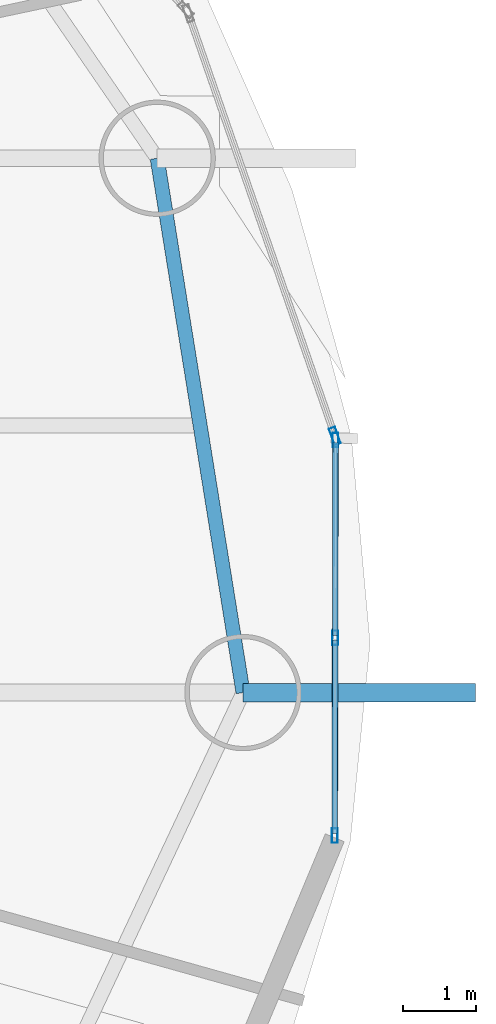
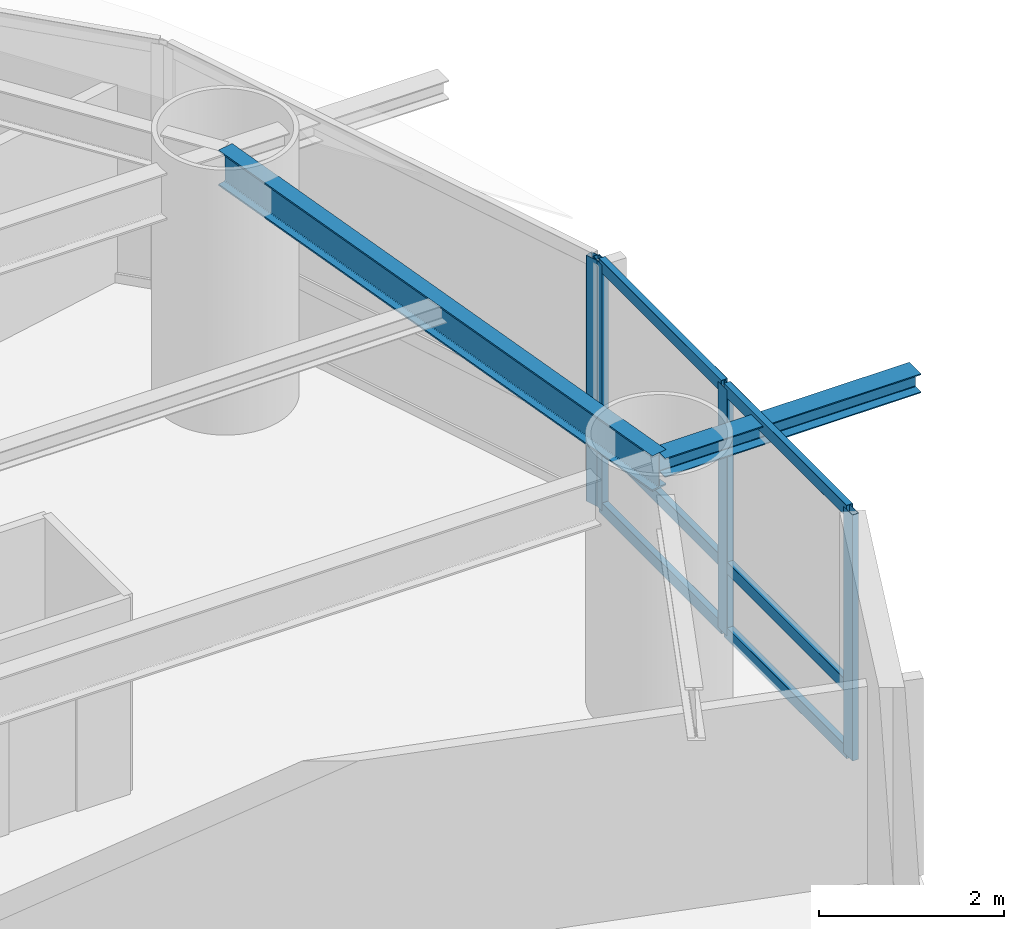
# One storey, part 10 of 27: 10 members, 2 beams, 2 elements without a shape of their own.
"""IFC4 building model written with IfcOpenShell, lengths in metres."""

from ifc_helpers import new_model, si_unit, direction, frame, origin, origin_2d, place, context, subcontext, project, spatial, hollow_rectangle, i_section, extrude, material, layer, layer_set, material_profile, profile_set, type_object, element, aggregate, save


model = new_model("IFC4")

# Units and contexts
model_context = context("Model", 3, precision=1e-05, world=origin(), true_north=direction((0.0, 1.0)))
body_context = subcontext(model_context, "Body", "Model", "MODEL_VIEW")
ifc_project = project(units=[si_unit("LENGTHUNIT", "METRE"), si_unit("AREAUNIT", "SQUARE_METRE"), si_unit("VOLUMEUNIT", "CUBIC_METRE"), si_unit("PLANEANGLEUNIT", "RADIAN"), si_unit("MASSUNIT", "GRAM", prefix="KILO")], contexts=[model_context])

# Site, building, storey
site_placement = place(None, origin())
site = spatial("IfcSite", under=ifc_project, at=site_placement, CompositionType="ELEMENT")
building_placement = place(site_placement, origin())
building = spatial("IfcBuilding", under=site, at=building_placement, Name="Bramvorn Convention Spire", CompositionType="ELEMENT")
storey_placement = place(building_placement, frame((0.0, 0.0, 79.89990234375)))
storey = spatial("IfcBuildingStorey", under=building, at=storey_placement, Name="L18", CompositionType="ELEMENT", Elevation=79.89990234375)

# Beams
ifc_material_1 = material(Name="Steel CSA G40.21 Grade 350 (350W)", Category="steel")
ifc_material_profile_1 = material_profile(ifc_material_1, i_section(OverallWidth=0.25390625, OverallDepth=0.2529296875, WebThickness=0.008544921875, FlangeThickness=0.01416015625, FilletRadius=0.011962890625, at=origin_2d()))
ifc_profile_set_1 = profile_set([ifc_material_profile_1], Name="Steel CSA G40.21 Grade 350 (350W) - W250X73")
beam_type_1 = type_object("IfcBeamType", Name="BM-W250X73", PredefinedType="BEAM", material=ifc_profile_set_1)
beam_1_placement = place(storey_placement, frame((66.519775390625, 21.99169921875, 3.12353515625), z_axis=(1.0, 0.0, 0.0), x_axis=(0.0, 1.0, 0.0)))
element("IfcBeam", 1, at=beam_1_placement, inside=storey, type_object=beam_type_1, Name="L18 slab-edge cantilever tip beam MC01", PredefinedType="BEAM", context=body_context, shape_type="SweptSolid", body=[
    extrude(i_section(OverallWidth=0.25390625, OverallDepth=0.2529296875, WebThickness=0.008544921875, FlangeThickness=0.01416015625, FilletRadius=0.011962890625, at=origin_2d()), origin(), (0.0, 0.0, 1.0), 3.199951171875),
])
ifc_material_profile_2 = material_profile(ifc_material_1, i_section(OverallWidth=0.194091796875, OverallDepth=0.468994140625, WebThickness=0.0126953125, FlangeThickness=0.0205078125, FilletRadius=0.01806640625, at=origin_2d()))
ifc_profile_set_2 = profile_set([ifc_material_profile_2], Name="Steel CSA G40.21 Grade 350 (350W) - W460X106")
beam_type_2 = type_object("IfcBeamType", Name="BM-W460X106", PredefinedType="SPANDREL", material=ifc_profile_set_2)
beam_2_placement = place(storey_placement, frame((66.519775390625, 21.99169921875, 3.015625), z_axis=(-0.158699222824, 0.987326975563, 0.0), x_axis=(-0.987326975563, -0.158699222824, 0.0)))
element("IfcBeam", 2, at=beam_2_placement, inside=storey, type_object=beam_type_2, Name="L18 mega-column ring beam 01", PredefinedType="SPANDREL", context=body_context, shape_type="SweptSolid", body=[
    extrude(i_section(OverallWidth=0.194091796875, OverallDepth=0.468994140625, WebThickness=0.0126953125, FlangeThickness=0.0205078125, FilletRadius=0.01806640625, at=origin_2d()), origin(), (0.0, 0.0, 1.0), 7.442626953125),
])

# Curtain wall, members
ifc_material_2 = material(Name="Anodised Bronze Unitised Curtain Wall", Category="aluminium")
ifc_layer_1 = layer(ifc_material_2, 0.179931640625)
ifc_layer_set_1 = layer_set([ifc_layer_1], Name="Anodised Bronze Unitised Curtain Wall - CW-HTL-FRIT")
curtain_wall_type_1 = type_object("IfcCurtainWallType", Name="CW-HTL-FRIT", PredefinedType="USERDEFINED", material=ifc_layer_set_1)
curtain_wall_1_placement = place(storey_placement, origin())
curtain_wall_1 = element("IfcCurtainWall", 3, at=curtain_wall_1_placement, inside=storey, type_object=curtain_wall_type_1, Name="L18 fritted glass curtain wall 01", ObjectType="UNITISED CURTAIN WALL", PredefinedType="USERDEFINED")
ifc_material_3 = material(Name="Anodised Bronze Aluminium 6063-T6", Category="aluminium")
ifc_material_profile_3 = material_profile(ifc_material_3, hollow_rectangle(XDim=0.080078125, YDim=0.199951171875, WallThickness=0.00390625, InnerFilletRadius=0.0009765625, OuterFilletRadius=0.00390625, at=origin_2d()))
ifc_profile_set_3 = profile_set([ifc_material_profile_3], Name="Anodised Bronze Aluminium 6063-T6 - CWM80X200")
member_type_1 = type_object("IfcMemberType", Name="CW-MUL-180", PredefinedType="MULLION", material=ifc_profile_set_3)
member_1_placement = place(storey_placement, frame((67.791259765625, 25.462646484375, 0.0), z_axis=(0.0, 0.0, 1.0), x_axis=(0.999998070248, -0.001964561274, 0.0)))
member_1 = element("IfcMember", 4, at=member_1_placement, type_object=member_type_1, Name="CW2 mullion 1", PredefinedType="MULLION", context=body_context, shape_type="SweptSolid", body=[
    extrude(hollow_rectangle(XDim=0.080078125, YDim=0.199951171875, WallThickness=0.00390625, InnerFilletRadius=0.0009765625, OuterFilletRadius=0.00390625, at=origin_2d()), origin(), (0.0, 0.0, 1.0), 3.25),
])
member_2_placement = place(storey_placement, frame((67.785888671875, 22.743896484375, 0.0), z_axis=(0.0, 0.0, 1.0), x_axis=(0.999998070248, -0.001964561274, 0.0)))
member_2 = element("IfcMember", 5, at=member_2_placement, type_object=member_type_1, Name="CW2 mullion 2", PredefinedType="MULLION", context=body_context, shape_type="SweptSolid", body=[
    extrude(hollow_rectangle(XDim=0.080078125, YDim=0.199951171875, WallThickness=0.00390625, InnerFilletRadius=0.0009765625, OuterFilletRadius=0.00390625, at=origin_2d()), origin(), (0.0, 0.0, 1.0), 3.25),
])
member_3_placement = place(storey_placement, frame((67.78076171875, 20.025146484375, 0.0), z_axis=(0.0, 0.0, 1.0), x_axis=(0.999998070248, -0.001964561274, 0.0)))
member_3 = element("IfcMember", 6, at=member_3_placement, type_object=member_type_1, Name="CW2 mullion 3", PredefinedType="MULLION", context=body_context, shape_type="SweptSolid", body=[
    extrude(hollow_rectangle(XDim=0.080078125, YDim=0.199951171875, WallThickness=0.00390625, InnerFilletRadius=0.0009765625, OuterFilletRadius=0.00390625, at=origin_2d()), origin(), (0.0, 0.0, 1.0), 3.25),
])

# Curtain wall, member
ifc_layer_2 = layer(ifc_material_2, 0.219970703125)
ifc_layer_set_2 = layer_set([ifc_layer_2], Name="Anodised Bronze Unitised Curtain Wall - CW-SKYGARDEN")
curtain_wall_type_2 = type_object("IfcCurtainWallType", Name="CW-SKYGARDEN", PredefinedType="USERDEFINED", material=ifc_layer_set_2)
curtain_wall_2_placement = place(storey_placement, origin())
curtain_wall_2 = element("IfcCurtainWall", 7, at=curtain_wall_2_placement, inside=storey, type_object=curtain_wall_type_2, Name="L18 Sky Garden glazed facade 02", ObjectType="WINTER GARDEN GLAZING", PredefinedType="USERDEFINED")
ifc_material_profile_4 = material_profile(ifc_material_3, hollow_rectangle(XDim=0.090087890625, YDim=0.239990234375, WallThickness=0.00439453125, InnerFilletRadius=0.0009765625, OuterFilletRadius=0.00439453125, at=origin_2d()))
ifc_profile_set_4 = profile_set([ifc_material_profile_4], Name="Anodised Bronze Aluminium 6063-T6 - CWM90X240")
member_type_2 = type_object("IfcMemberType", Name="CW-MUL-220", PredefinedType="MULLION", material=ifc_profile_set_4)
member_4_placement = place(storey_placement, frame((67.781494140625, 25.52099609375, 0.0), z_axis=(0.0, 0.0, 1.0), x_axis=(0.94482576935, 0.327573298015, 0.0)))
member_4 = element("IfcMember", 8, at=member_4_placement, type_object=member_type_2, Name="CW4 mullion 2", PredefinedType="MULLION", context=body_context, shape_type="SweptSolid", body=[
    extrude(hollow_rectangle(XDim=0.090087890625, YDim=0.239990234375, WallThickness=0.00439453125, InnerFilletRadius=0.0009765625, OuterFilletRadius=0.00439453125, at=origin_2d()), origin(), (0.0, 0.0, 1.0), 3.25),
])
aggregate(curtain_wall_2, [member_4])

# Member
ifc_material_profile_5 = material_profile(ifc_material_3, hollow_rectangle(XDim=0.080078125, YDim=0.159912109375, WallThickness=0.00390625, InnerFilletRadius=0.0009765625, OuterFilletRadius=0.00390625, at=origin_2d()))
ifc_profile_set_5 = profile_set([ifc_material_profile_5], Name="Anodised Bronze Aluminium 6063-T6 - CWT80X160")
member_type_3 = type_object("IfcMemberType", Name="CW-TRN-150", PredefinedType="USERDEFINED", material=ifc_profile_set_5)
member_5_placement = place(storey_placement, frame((67.791259765625, 25.4326171875, 0.030029296875), z_axis=(-0.00192837107, -0.999998140691, 0.0), x_axis=(0.999998140691, -0.00192837107, 0.0)))
member_5 = element("IfcMember", 9, at=member_5_placement, type_object=member_type_3, Name="CW2 transom 1.1", ObjectType="TRANSOM", PredefinedType="USERDEFINED", context=body_context, shape_type="SweptSolid", body=[
    extrude(hollow_rectangle(XDim=0.080078125, YDim=0.159912109375, WallThickness=0.00390625, InnerFilletRadius=0.0009765625, OuterFilletRadius=0.00390625, at=origin_2d()), origin(), (0.0, 0.0, 1.0), 2.65869140625),
])

member_6_placement = place(storey_placement, frame((67.791259765625, 25.4326171875, 0.900146484375), z_axis=(-0.00192837107, -0.999998140691, 0.0), x_axis=(0.999998140691, -0.00192837107, 0.0)))
member_6 = element("IfcMember", 10, at=member_6_placement, type_object=member_type_3, Name="CW2 transom 1.2", ObjectType="TRANSOM", PredefinedType="USERDEFINED", context=body_context, shape_type="SweptSolid", body=[
    extrude(hollow_rectangle(XDim=0.080078125, YDim=0.159912109375, WallThickness=0.00390625, InnerFilletRadius=0.0009765625, OuterFilletRadius=0.00390625, at=origin_2d()), origin(), (0.0, 0.0, 1.0), 2.65869140625),
])

member_7_placement = place(storey_placement, frame((67.791259765625, 25.4326171875, 3.22021484375), z_axis=(-0.00192837107, -0.999998140691, 0.0), x_axis=(0.999998140691, -0.00192837107, 0.0)))
member_7 = element("IfcMember", 11, at=member_7_placement, type_object=member_type_3, Name="CW2 transom 1.3", ObjectType="TRANSOM", PredefinedType="USERDEFINED", context=body_context, shape_type="SweptSolid", body=[
    extrude(hollow_rectangle(XDim=0.080078125, YDim=0.159912109375, WallThickness=0.00390625, InnerFilletRadius=0.0009765625, OuterFilletRadius=0.00390625, at=origin_2d()), origin(), (0.0, 0.0, 1.0), 2.65869140625),
])

member_8_placement = place(storey_placement, frame((67.785888671875, 22.7138671875, 0.030029296875), z_axis=(-0.00192837107, -0.999998140691, 0.0), x_axis=(0.999998140691, -0.00192837107, 0.0)))
member_8 = element("IfcMember", 12, at=member_8_placement, type_object=member_type_3, Name="CW2 transom 2.1", ObjectType="TRANSOM", PredefinedType="USERDEFINED", context=body_context, shape_type="SweptSolid", body=[
    extrude(hollow_rectangle(XDim=0.080078125, YDim=0.159912109375, WallThickness=0.00390625, InnerFilletRadius=0.0009765625, OuterFilletRadius=0.00390625, at=origin_2d()), origin(), (0.0, 0.0, 1.0), 2.65869140625),
])

member_9_placement = place(storey_placement, frame((67.785888671875, 22.7138671875, 0.900146484375), z_axis=(-0.00192837107, -0.999998140691, 0.0), x_axis=(0.999998140691, -0.00192837107, 0.0)))
member_9 = element("IfcMember", 13, at=member_9_placement, type_object=member_type_3, Name="CW2 transom 2.2", ObjectType="TRANSOM", PredefinedType="USERDEFINED", context=body_context, shape_type="SweptSolid", body=[
    extrude(hollow_rectangle(XDim=0.080078125, YDim=0.159912109375, WallThickness=0.00390625, InnerFilletRadius=0.0009765625, OuterFilletRadius=0.00390625, at=origin_2d()), origin(), (0.0, 0.0, 1.0), 2.65869140625),
])

member_10_placement = place(storey_placement, frame((67.785888671875, 22.7138671875, 3.22021484375), z_axis=(-0.00192837107, -0.999998140691, 0.0), x_axis=(0.999998140691, -0.00192837107, 0.0)))
member_10 = element("IfcMember", 14, at=member_10_placement, type_object=member_type_3, Name="CW2 transom 2.3", ObjectType="TRANSOM", PredefinedType="USERDEFINED", context=body_context, shape_type="SweptSolid", body=[
    extrude(hollow_rectangle(XDim=0.080078125, YDim=0.159912109375, WallThickness=0.00390625, InnerFilletRadius=0.0009765625, OuterFilletRadius=0.00390625, at=origin_2d()), origin(), (0.0, 0.0, 1.0), 2.65869140625),
])

aggregate(curtain_wall_1, [member_1, member_2, member_3, member_5, member_6, member_7, member_8, member_9, member_10])

save(model, "model.ifc")
